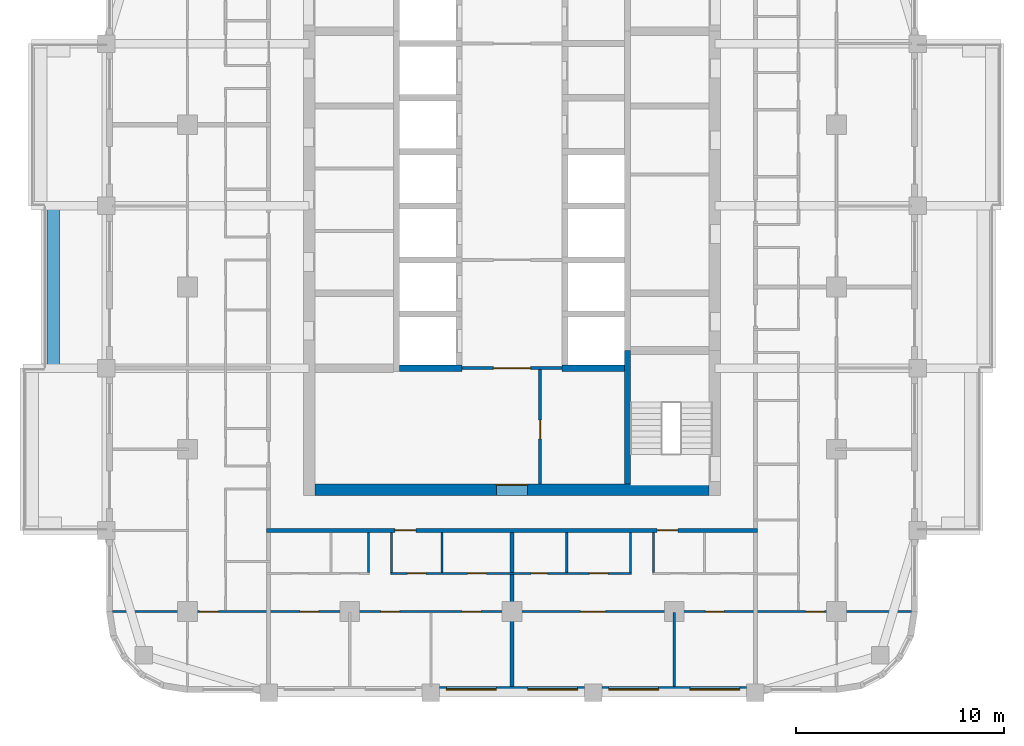
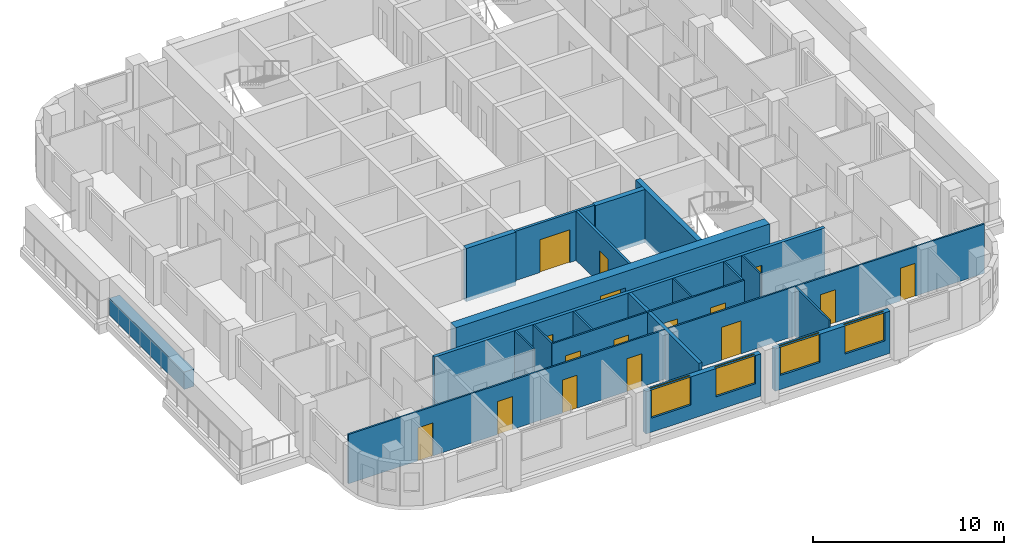
# One storey, part 3 of 13: 20 walls, 16 doors, 4 windows, 20 openings.
"""IFC4 building model written with IfcOpenShell, lengths in metres."""

from ifc_helpers import new_model, si_unit, direction, frame, frame_2d, origin, place, context, subcontext, project, spatial, rectangle, extrude, material, layer, layer_set, type_object, element, fill, save


model = new_model("IFC4")

# Units and contexts
model_context = context("Model", 3, precision=1e-05, world=origin(), true_north=direction((0.0, 1.0)))
body_context = subcontext(model_context, "Body", "Model", "MODEL_VIEW")
ifc_project = project(units=[si_unit("LENGTHUNIT", "METRE"), si_unit("AREAUNIT", "SQUARE_METRE"), si_unit("VOLUMEUNIT", "CUBIC_METRE"), si_unit("PLANEANGLEUNIT", "RADIAN"), si_unit("MASSUNIT", "GRAM", prefix="KILO")], contexts=[model_context])

# Site, building, storey
site_placement = place(None, origin())
site = spatial("IfcSite", under=ifc_project, at=site_placement, CompositionType="ELEMENT")
building_placement = place(site_placement, origin())
building = spatial("IfcBuilding", under=site, at=building_placement, Name="Ludao Terraces", CompositionType="ELEMENT")
storey_placement = place(building_placement, frame((0.0, 0.0, 127.10009765625)))
storey = spatial("IfcBuildingStorey", under=building, at=storey_placement, Name="L34", CompositionType="ELEMENT", Elevation=127.10009765625)

# Wall, opening, door
ifc_material_1 = material(Name="Concrete C60", Category="concrete")
ifc_layer_1 = layer(ifc_material_1, 0.550048828125)
ifc_layer_set_1 = layer_set([ifc_layer_1], Name="Core wall 550 C60")
wall_type_1 = type_object("IfcWallType", Name="Core wall 550 C60", PredefinedType="SOLIDWALL", material=ifc_layer_set_1)
wall_1_placement = place(storey_placement, frame((75.52490234375, 55.25, -0.25), z_axis=(0.0, 0.0, 1.0), x_axis=(1.0, 0.0, 0.0)))
wall_1 = element("IfcWall", 1, at=wall_1_placement, inside=storey, type_object=wall_type_1, Name="Core wall L34 outer-S", PredefinedType="SOLIDWALL", context=body_context, shape_type="SweptSolid", body=[
    extrude(rectangle(XDim=18.9501953125, YDim=0.550048828125, at=frame_2d((9.47509765625, 0.0))), origin(), (0.0, 0.0, 1.0), 3.39990234375),
])
opening_1_placement = place(wall_1_placement, frame((8.72509765625, 0.0, 0.25)))
opening_1 = element("IfcOpeningElement", 2, at=opening_1_placement, cuts=wall_1, Name="Opening R10-028", PredefinedType="OPENING", context=body_context, shape_type="SweptSolid", body=[
    extrude(rectangle(XDim=1.5, YDim=2.10009765625, at=frame_2d((0.75, 1.050048828125))), frame((0.0, 0.28515625, 0.0), z_axis=(0.0, -1.0, 0.0), x_axis=(1.0, 0.0, 0.0)), (0.0, 0.0, 1.0), 0.570068359375),
])
ifc_material_2 = material(Name="Steel Q235", Category="steel")
door_type_1 = type_object("IfcDoorType", Name="INT Lobby door 1500", OperationType="DOUBLE_DOOR_SINGLE_SWING", PredefinedType="DOOR", material=ifc_material_2)
door_1_placement = place(opening_1_placement, origin())
door_1 = element("IfcDoor", 3, at=door_1_placement, inside=storey, type_object=door_type_1, Name="DOOR 028", OperationType="DOUBLE_DOOR_SINGLE_SWING", OverallHeight=2.10009765625, OverallWidth=1.5, PredefinedType="DOOR", context=body_context, shape_type="SweptSolid", body=[
    extrude(rectangle(XDim=1.5, YDim=2.10009765625, at=frame_2d((0.75, 1.050048828125))), frame((0.0, 0.26025390625, 0.0), z_axis=(0.0, -1.0, 0.0), x_axis=(1.0, 0.0, 0.0)), (0.0, 0.0, 1.0), 0.050048828125),
])
fill(opening_1, door_1)

# Wall
ifc_material_3 = material(Name="Concrete C40", Category="concrete")
ifc_layer_2 = layer(ifc_material_3, 0.60009765625)
ifc_layer_set_2 = layer_set([ifc_layer_2], Name="ENV Planter trough 600")
wall_type_2 = type_object("IfcWallType", Name="ENV Planter trough 600", PredefinedType="USERDEFINED", material=ifc_layer_set_2)
wall_2_placement = place(storey_placement, frame((62.949951171875, 61.10009765625, 0.0), z_axis=(0.0, 0.0, 1.0), x_axis=(0.0, 1.0, 0.0)))
element("IfcWall", 4, at=wall_2_placement, inside=storey, type_object=wall_type_2, Name="PL-L34-W2", ObjectType="PLANTER", PredefinedType="USERDEFINED", context=body_context, shape_type="SweptSolid", body=[
    extrude(rectangle(XDim=7.7998046875, YDim=0.60009765625, at=frame_2d((3.89990234375, 0.0))), origin(), (0.0, 0.0, 1.0), 1.099853515625),
])

# Wall, openings, windows
ifc_material_4 = material(Name="Granite cladding", Category="masonry")
ifc_layer_3 = layer(ifc_material_4, 0.0400390625, Category="stone")
ifc_material_5 = material(Name="Mineral wool")
ifc_layer_4 = layer(ifc_material_5, 0.06005859375)
ifc_layer_5 = layer(ifc_material_3, 0.199951171875, Category="concrete")
ifc_layer_set_3 = layer_set([ifc_layer_3, ifc_layer_4, ifc_layer_5], Name="ENV Stone-clad wall 300")
wall_type_3 = type_object("IfcWallType", Name="ENV Stone-clad wall 300", PredefinedType="SOLIDWALL", material=ifc_layer_set_3)
wall_3_placement = place(storey_placement, frame((81.52490234375, 45.64990234375, 0.0), z_axis=(0.0, 0.0, 1.0), x_axis=(1.0, 0.0, 0.0)))
wall_3 = element("IfcWall", 5, at=wall_3_placement, inside=storey, type_object=wall_type_3, Name="EW-L34-S3", PredefinedType="SOLIDWALL", context=body_context, shape_type="SweptSolid", body=[
    extrude(rectangle(XDim=6.9501953125, YDim=0.300048828125, at=frame_2d((3.47509765625, 0.0))), origin(), (0.0, 0.0, 1.0), 2.699951171875),
])
opening_2_placement = place(wall_3_placement, frame((0.324951171875, 0.0, 0.89990234375)))
opening_2 = element("IfcOpeningElement", 6, at=opening_2_placement, cuts=wall_3, Name="Opening W1", PredefinedType="OPENING", context=body_context, shape_type="SweptSolid", body=[
    extrude(rectangle(XDim=2.39990234375, YDim=1.800048828125, at=frame_2d((1.199951171875, 0.89990234375))), frame((0.0, 0.16015625, 0.0), z_axis=(0.0, -1.0, 0.0), x_axis=(1.0, 0.0, 0.0)), (0.0, 0.0, 1.0), 0.320068359375),
])
opening_3_placement = place(wall_3_placement, frame((4.22509765625, 0.0, 0.89990234375)))
opening_3 = element("IfcOpeningElement", 7, at=opening_3_placement, cuts=wall_3, Name="Opening W1", PredefinedType="OPENING", context=body_context, shape_type="SweptSolid", body=[
    extrude(rectangle(XDim=2.39990234375, YDim=1.800048828125, at=frame_2d((1.199951171875, 0.89990234375))), frame((0.0, 0.16015625, 0.0), z_axis=(0.0, -1.0, 0.0), x_axis=(1.0, 0.0, 0.0)), (0.0, 0.0, 1.0), 0.320068359375),
])
ifc_material_6 = material(Name="Clear glass in aluminium frame", Category="aluminium")
ifc_layer_6 = layer(ifc_material_6, 0.06005859375)
ifc_layer_set_4 = layer_set([ifc_layer_6], Name="ENV Window W1 2400x1800")
window_type = type_object("IfcWindowType", Name="ENV Window W1 2400x1800", PartitioningType="DOUBLE_PANEL_VERTICAL", PredefinedType="WINDOW", material=ifc_layer_set_4)
window_1_placement = place(opening_2_placement, origin())
window_1 = element("IfcWindow", 8, at=window_1_placement, inside=storey, type_object=window_type, Name="W-L34-S3-1", OverallHeight=1.800048828125, OverallWidth=2.39990234375, PartitioningType="DOUBLE_PANEL_VERTICAL", PredefinedType="WINDOW", context=body_context, shape_type="SweptSolid", body=[
    extrude(rectangle(XDim=2.39990234375, YDim=1.800048828125, at=frame_2d((1.199951171875, 0.89990234375))), frame((0.0, 0.030029296875, 0.0), z_axis=(0.0, -1.0, 0.0), x_axis=(1.0, 0.0, 0.0)), (0.0, 0.0, 1.0), 0.06005859375),
])
fill(opening_2, window_1)
window_2_placement = place(opening_3_placement, origin())
window_2 = element("IfcWindow", 9, at=window_2_placement, inside=storey, type_object=window_type, Name="W-L34-S3-2", OverallHeight=1.800048828125, OverallWidth=2.39990234375, PartitioningType="DOUBLE_PANEL_VERTICAL", PredefinedType="WINDOW", context=body_context, shape_type="SweptSolid", body=[
    extrude(rectangle(XDim=2.39990234375, YDim=1.800048828125, at=frame_2d((1.199951171875, 0.89990234375))), frame((0.0, 0.030029296875, 0.0), z_axis=(0.0, -1.0, 0.0), x_axis=(1.0, 0.0, 0.0)), (0.0, 0.0, 1.0), 0.06005859375),
])
fill(opening_3, window_2)

wall_4_placement = place(storey_placement, frame((89.324951171875, 45.64990234375, 0.0), z_axis=(0.0, 0.0, 1.0), x_axis=(1.0, 0.0, 0.0)))
wall_4 = element("IfcWall", 10, at=wall_4_placement, inside=storey, type_object=wall_type_3, Name="EW-L34-S4", PredefinedType="SOLIDWALL", context=body_context, shape_type="SweptSolid", body=[
    extrude(rectangle(XDim=6.949951171875, YDim=0.300048828125, at=frame_2d((3.47509765625, 0.0))), origin(), (0.0, 0.0, 1.0), 2.699951171875),
])
opening_4_placement = place(wall_4_placement, frame((0.324951171875, 0.0, 0.89990234375)))
opening_4 = element("IfcOpeningElement", 11, at=opening_4_placement, cuts=wall_4, Name="Opening W1", PredefinedType="OPENING", context=body_context, shape_type="SweptSolid", body=[
    extrude(rectangle(XDim=2.39990234375, YDim=1.800048828125, at=frame_2d((1.199951171875, 0.89990234375))), frame((0.0, 0.16015625, 0.0), z_axis=(0.0, -1.0, 0.0), x_axis=(1.0, 0.0, 0.0)), (0.0, 0.0, 1.0), 0.320068359375),
])
opening_5_placement = place(wall_4_placement, frame((4.22509765625, 0.0, 0.89990234375)))
opening_5 = element("IfcOpeningElement", 12, at=opening_5_placement, cuts=wall_4, Name="Opening W1", PredefinedType="OPENING", context=body_context, shape_type="SweptSolid", body=[
    extrude(rectangle(XDim=2.39990234375, YDim=1.800048828125, at=frame_2d((1.199951171875, 0.89990234375))), frame((0.0, 0.16015625, 0.0), z_axis=(0.0, -1.0, 0.0), x_axis=(1.0, 0.0, 0.0)), (0.0, 0.0, 1.0), 0.320068359375),
])
window_3_placement = place(opening_4_placement, origin())
window_3 = element("IfcWindow", 13, at=window_3_placement, inside=storey, type_object=window_type, Name="W-L34-S4-1", OverallHeight=1.800048828125, OverallWidth=2.39990234375, PartitioningType="DOUBLE_PANEL_VERTICAL", PredefinedType="WINDOW", context=body_context, shape_type="SweptSolid", body=[
    extrude(rectangle(XDim=2.39990234375, YDim=1.800048828125, at=frame_2d((1.199951171875, 0.89990234375))), frame((0.0, 0.030029296875, 0.0), z_axis=(0.0, -1.0, 0.0), x_axis=(1.0, 0.0, 0.0)), (0.0, 0.0, 1.0), 0.06005859375),
])
fill(opening_4, window_3)
window_4_placement = place(opening_5_placement, origin())
window_4 = element("IfcWindow", 14, at=window_4_placement, inside=storey, type_object=window_type, Name="W-L34-S4-2", OverallHeight=1.800048828125, OverallWidth=2.39990234375, PartitioningType="DOUBLE_PANEL_VERTICAL", PredefinedType="WINDOW", context=body_context, shape_type="SweptSolid", body=[
    extrude(rectangle(XDim=2.39990234375, YDim=1.800048828125, at=frame_2d((1.199951171875, 0.89990234375))), frame((0.0, 0.030029296875, 0.0), z_axis=(0.0, -1.0, 0.0), x_axis=(1.0, 0.0, 0.0)), (0.0, 0.0, 1.0), 0.06005859375),
])
fill(opening_5, window_4)

# Wall, opening, door
ifc_material_7 = material(Name="Fire-rated gypsum plasterboard", Category="gypsum")
ifc_layer_7 = layer(ifc_material_7, 0.012451171875, Category="gypsum")
ifc_layer_8 = layer(ifc_material_5, 0.10009765625, Name="insulation")
ifc_layer_9 = layer(ifc_material_2, 0.02490234375, Name="stud")
ifc_layer_10 = layer(ifc_material_7, 0.012451171875, Category="gypsum")
ifc_layer_set_5 = layer_set([ifc_layer_7, ifc_layer_8, ifc_layer_9, ifc_layer_10], Name="INT Core partition 150")
wall_type_4 = type_object("IfcWallType", Name="INT Core partition 150", PredefinedType="PARTITIONING", material=ifc_layer_set_5)
wall_5_placement = place(storey_placement, frame((82.60009765625, 61.10009765625, 0.0), z_axis=(0.0, 0.0, 1.0), x_axis=(1.0, 0.0, 0.0)))
wall_5 = element("IfcWall", 15, at=wall_5_placement, inside=storey, type_object=wall_type_4, Name="PW-L34-PW017", PredefinedType="PARTITIONING", context=body_context, shape_type="SweptSolid", body=[
    extrude(rectangle(XDim=4.800048828125, YDim=0.14990234375, at=frame_2d((2.39990234375, 0.0))), origin(), (0.0, 0.0, 1.0), 3.14990234375),
])
opening_6_placement = place(wall_5_placement, frame((1.5, 0.0, 0.0)))
opening_6 = element("IfcOpeningElement", 16, at=opening_6_placement, cuts=wall_5, Name="Opening R10-038", PredefinedType="OPENING", context=body_context, shape_type="SweptSolid", body=[
    extrude(rectangle(XDim=1.800048828125, YDim=2.10009765625, at=frame_2d((0.89990234375, 1.050048828125))), frame((0.0, 0.0849609375, 0.0), z_axis=(0.0, -1.0, 0.0), x_axis=(1.0, 0.0, 0.0)), (0.0, 0.0, 1.0), 0.169921875),
])
door_type_2 = type_object("IfcDoorType", Name="INT Fire lobby door 1800", OperationType="DOUBLE_DOOR_SINGLE_SWING", PredefinedType="DOOR", material=ifc_material_2)
door_2_placement = place(opening_6_placement, origin())
door_2 = element("IfcDoor", 17, at=door_2_placement, inside=storey, type_object=door_type_2, Name="DOOR 038", OperationType="DOUBLE_DOOR_SINGLE_SWING", OverallHeight=2.10009765625, OverallWidth=1.800048828125, PredefinedType="DOOR", context=body_context, shape_type="SweptSolid", body=[
    extrude(rectangle(XDim=1.800048828125, YDim=2.10009765625, at=frame_2d((0.89990234375, 1.050048828125))), frame((0.0, 0.02490234375, 0.0), z_axis=(0.0, -1.0, 0.0), x_axis=(1.0, 0.0, 0.0)), (0.0, 0.0, 1.0), 0.050048828125),
])
fill(opening_6, door_2)

wall_6_placement = place(storey_placement, frame((86.35009765625, 55.525146484375, 0.0), z_axis=(0.0, 0.0, 1.0), x_axis=(0.0, 1.0, 0.0)))
wall_6 = element("IfcWall", 18, at=wall_6_placement, inside=storey, type_object=wall_type_4, Name="PW-L34-PW060", PredefinedType="PARTITIONING", context=body_context, shape_type="SweptSolid", body=[
    extrude(rectangle(XDim=5.5, YDim=0.14990234375, at=frame_2d((2.75, 0.0))), origin(), (0.0, 0.0, 1.0), 3.14990234375),
])
opening_7_placement = place(wall_6_placement, frame((2.175048828125, 0.0, 0.0)))
opening_7 = element("IfcOpeningElement", 19, at=opening_7_placement, cuts=wall_6, Name="Opening R10-033", PredefinedType="OPENING", context=body_context, shape_type="SweptSolid", body=[
    extrude(rectangle(XDim=0.89990234375, YDim=2.10009765625, at=frame_2d((0.449951171875, 1.050048828125))), frame((0.0, 0.0849609375, 0.0), z_axis=(0.0, -1.0, 0.0), x_axis=(1.0, 0.0, 0.0)), (0.0, 0.0, 1.0), 0.169921875),
])
ifc_material_8 = material(Name="Timber door leaf", Category="wood")
door_type_3 = type_object("IfcDoorType", Name="INT Room door 900", OperationType="SINGLE_SWING_LEFT", PredefinedType="DOOR", material=ifc_material_8)
door_3_placement = place(opening_7_placement, origin())
door_3 = element("IfcDoor", 20, at=door_3_placement, inside=storey, type_object=door_type_3, Name="DOOR 033", OperationType="SINGLE_SWING_RIGHT", OverallHeight=2.10009765625, OverallWidth=0.89990234375, PredefinedType="DOOR", context=body_context, shape_type="SweptSolid", body=[
    extrude(rectangle(XDim=0.89990234375, YDim=2.10009765625, at=frame_2d((0.449951171875, 1.050048828125))), frame((0.0, 0.02490234375, 0.0), z_axis=(0.0, -1.0, 0.0), x_axis=(1.0, 0.0, 0.0)), (0.0, 0.0, 1.0), 0.050048828125),
])
fill(opening_7, door_3)

# Wall, openings, doors
ifc_material_9 = material(Name="Autoclaved aerated concrete block B06 A3.5", Category="concrete")
ifc_layer_11 = layer(ifc_material_9, 0.199951171875)
ifc_layer_set_6 = layer_set([ifc_layer_11], Name="INT Entrance wall 200")
wall_type_5 = type_object("IfcWallType", Name="INT Entrance wall 200", PredefinedType="PARTITIONING", material=ifc_layer_set_6)
wall_7_placement = place(storey_placement, frame((73.2001953125, 53.300048828125, 0.0), z_axis=(0.0, 0.0, 1.0), x_axis=(1.0, 0.0, 0.0)))
wall_7 = element("IfcWall", 21, at=wall_7_placement, inside=storey, type_object=wall_type_5, Name="PW-L34-PW007", PredefinedType="PARTITIONING", context=body_context, shape_type="SweptSolid", body=[
    extrude(rectangle(XDim=23.599853515625, YDim=0.199951171875, at=frame_2d((11.7998046875, 0.0))), origin(), (0.0, 0.0, 1.0), 3.14990234375),
])
opening_8_placement = place(wall_7_placement, frame((6.1748046875, 0.0, 0.0)))
opening_8 = element("IfcOpeningElement", 22, at=opening_8_placement, cuts=wall_7, Name="Opening R10-022", PredefinedType="OPENING", context=body_context, shape_type="SweptSolid", body=[
    extrude(rectangle(XDim=1.0, YDim=2.10009765625, at=frame_2d((0.5, 1.050048828125))), frame((0.0, 0.10986328125, 0.0), z_axis=(0.0, -1.0, 0.0), x_axis=(1.0, 0.0, 0.0)), (0.0, 0.0, 1.0), 0.219970703125),
])
opening_9_placement = place(wall_7_placement, frame((18.77490234375, 0.0, 0.0)))
opening_9 = element("IfcOpeningElement", 23, at=opening_9_placement, cuts=wall_7, Name="Opening R10-023", PredefinedType="OPENING", context=body_context, shape_type="SweptSolid", body=[
    extrude(rectangle(XDim=1.0, YDim=2.10009765625, at=frame_2d((0.5, 1.050048828125))), frame((0.0, 0.10986328125, 0.0), z_axis=(0.0, -1.0, 0.0), x_axis=(1.0, 0.0, 0.0)), (0.0, 0.0, 1.0), 0.219970703125),
])
door_type_4 = type_object("IfcDoorType", Name="INT Flat entrance door 1000", OperationType="SINGLE_SWING_LEFT", PredefinedType="DOOR", material=ifc_material_2)
door_4_placement = place(opening_8_placement, origin())
door_4 = element("IfcDoor", 24, at=door_4_placement, inside=storey, type_object=door_type_4, Name="DOOR 022", OperationType="SINGLE_SWING_LEFT", OverallHeight=2.10009765625, OverallWidth=1.0, PredefinedType="DOOR", context=body_context, shape_type="SweptSolid", body=[
    extrude(rectangle(XDim=1.0, YDim=2.10009765625, at=frame_2d((0.5, 1.050048828125))), frame((0.0, 0.02490234375, 0.0), z_axis=(0.0, -1.0, 0.0), x_axis=(1.0, 0.0, 0.0)), (0.0, 0.0, 1.0), 0.050048828125),
])
fill(opening_8, door_4)
door_5_placement = place(opening_9_placement, origin())
door_5 = element("IfcDoor", 25, at=door_5_placement, inside=storey, type_object=door_type_4, Name="DOOR 023", OperationType="SINGLE_SWING_LEFT", OverallHeight=2.10009765625, OverallWidth=1.0, PredefinedType="DOOR", context=body_context, shape_type="SweptSolid", body=[
    extrude(rectangle(XDim=1.0, YDim=2.10009765625, at=frame_2d((0.5, 1.050048828125))), frame((0.0, 0.02490234375, 0.0), z_axis=(0.0, -1.0, 0.0), x_axis=(1.0, 0.0, 0.0)), (0.0, 0.0, 1.0), 0.050048828125),
])
fill(opening_9, door_5)

ifc_material_10 = material(Name="Gypsum plasterboard", Category="gypsum")
ifc_layer_12 = layer(ifc_material_10, 0.012451171875, Category="gypsum")
ifc_layer_13 = layer(ifc_material_5, 0.06005859375, Name="insulation")
ifc_layer_14 = layer(ifc_material_2, 0.014892578125, Name="stud")
ifc_layer_15 = layer(ifc_material_10, 0.012451171875, Category="gypsum")
ifc_layer_set_7 = layer_set([ifc_layer_12, ifc_layer_13, ifc_layer_14, ifc_layer_15], Name="INT Partition 100")
wall_type_6 = type_object("IfcWallType", Name="INT Partition 100", PredefinedType="PARTITIONING", material=ifc_layer_set_7)
wall_8_placement = place(storey_placement, frame((65.800048828125, 49.39990234375, 0.0), z_axis=(0.0, 0.0, 1.0), x_axis=(1.0, 0.0, 0.0)))
wall_8 = element("IfcWall", 26, at=wall_8_placement, inside=storey, type_object=wall_type_6, Name="PW-L34-PW000", PredefinedType="PARTITIONING", context=body_context, shape_type="SweptSolid", body=[
    extrude(rectangle(XDim=38.400146484375, YDim=0.10009765625, at=frame_2d((19.2001953125, 0.0))), origin(), (0.0, 0.0, 1.0), 3.14990234375),
])
opening_10_placement = place(wall_8_placement, frame((4.18994140625, 0.0, 0.0)))
opening_10 = element("IfcOpeningElement", 27, at=opening_10_placement, cuts=wall_8, Name="Opening R10-003", PredefinedType="OPENING", context=body_context, shape_type="SweptSolid", body=[
    extrude(rectangle(XDim=0.89990234375, YDim=2.10009765625, at=frame_2d((0.449951171875, 1.050048828125))), frame((0.0, 0.06005859375, 0.0), z_axis=(0.0, -1.0, 0.0), x_axis=(1.0, 0.0, 0.0)), (0.0, 0.0, 1.0), 0.1201171875),
])
opening_11_placement = place(wall_8_placement, frame((9.0, 0.0, 0.0)))
opening_11 = element("IfcOpeningElement", 28, at=opening_11_placement, cuts=wall_8, Name="Opening R10-004", PredefinedType="OPENING", context=body_context, shape_type="SweptSolid", body=[
    extrude(rectangle(XDim=0.89990234375, YDim=2.10009765625, at=frame_2d((0.449951171875, 1.050048828125))), frame((0.0, 0.06005859375, 0.0), z_axis=(0.0, -1.0, 0.0), x_axis=(1.0, 0.0, 0.0)), (0.0, 0.0, 1.0), 0.1201171875),
])
opening_12_placement = place(wall_8_placement, frame((12.89990234375, 0.0, 0.0)))
opening_12 = element("IfcOpeningElement", 29, at=opening_12_placement, cuts=wall_8, Name="Opening R10-005", PredefinedType="OPENING", context=body_context, shape_type="SweptSolid", body=[
    extrude(rectangle(XDim=0.89990234375, YDim=2.10009765625, at=frame_2d((0.449951171875, 1.050048828125))), frame((0.0, 0.06005859375, 0.0), z_axis=(0.0, -1.0, 0.0), x_axis=(1.0, 0.0, 0.0)), (0.0, 0.0, 1.0), 0.1201171875),
])
opening_13_placement = place(wall_8_placement, frame((16.800048828125, 0.0, 0.0)))
opening_13 = element("IfcOpeningElement", 30, at=opening_13_placement, cuts=wall_8, Name="Opening R10-006", PredefinedType="OPENING", context=body_context, shape_type="SweptSolid", body=[
    extrude(rectangle(XDim=0.89990234375, YDim=2.10009765625, at=frame_2d((0.449951171875, 1.050048828125))), frame((0.0, 0.06005859375, 0.0), z_axis=(0.0, -1.0, 0.0), x_axis=(1.0, 0.0, 0.0)), (0.0, 0.0, 1.0), 0.1201171875),
])
opening_14_placement = place(wall_8_placement, frame((22.5, 0.0, 0.0)))
opening_14 = element("IfcOpeningElement", 31, at=opening_14_placement, cuts=wall_8, Name="Opening R10-007", PredefinedType="OPENING", context=body_context, shape_type="SweptSolid", body=[
    extrude(rectangle(XDim=1.199951171875, YDim=2.10009765625, at=frame_2d((0.60009765625, 1.050048828125))), frame((0.0, 0.06005859375, 0.0), z_axis=(0.0, -1.0, 0.0), x_axis=(1.0, 0.0, 0.0)), (0.0, 0.0, 1.0), 0.1201171875),
])
opening_15_placement = place(wall_8_placement, frame((28.5, 0.0, 0.0)))
opening_15 = element("IfcOpeningElement", 32, at=opening_15_placement, cuts=wall_8, Name="Opening R10-008", PredefinedType="OPENING", context=body_context, shape_type="SweptSolid", body=[
    extrude(rectangle(XDim=0.89990234375, YDim=2.10009765625, at=frame_2d((0.449951171875, 1.050048828125))), frame((0.0, 0.06005859375, 0.0), z_axis=(0.0, -1.0, 0.0), x_axis=(1.0, 0.0, 0.0)), (0.0, 0.0, 1.0), 0.1201171875),
])
opening_16_placement = place(wall_8_placement, frame((33.31005859375, 0.0, 0.0)))
opening_16 = element("IfcOpeningElement", 33, at=opening_16_placement, cuts=wall_8, Name="Opening R10-009", PredefinedType="OPENING", context=body_context, shape_type="SweptSolid", body=[
    extrude(rectangle(XDim=0.89990234375, YDim=2.10009765625, at=frame_2d((0.449951171875, 1.050048828125))), frame((0.0, 0.06005859375, 0.0), z_axis=(0.0, -1.0, 0.0), x_axis=(1.0, 0.0, 0.0)), (0.0, 0.0, 1.0), 0.1201171875),
])
door_type_5 = type_object("IfcDoorType", Name="INT Double door 1200", OperationType="DOUBLE_DOOR_SINGLE_SWING", PredefinedType="DOOR", material=ifc_material_8)
door_6_placement = place(opening_14_placement, origin())
door_6 = element("IfcDoor", 34, at=door_6_placement, inside=storey, type_object=door_type_5, Name="DOOR 007", OperationType="DOUBLE_DOOR_SINGLE_SWING", OverallHeight=2.10009765625, OverallWidth=1.199951171875, PredefinedType="DOOR", context=body_context, shape_type="SweptSolid", body=[
    extrude(rectangle(XDim=1.199951171875, YDim=2.10009765625, at=frame_2d((0.60009765625, 1.050048828125))), frame((0.0, 0.02490234375, 0.0), z_axis=(0.0, -1.0, 0.0), x_axis=(1.0, 0.0, 0.0)), (0.0, 0.0, 1.0), 0.050048828125),
])
fill(opening_14, door_6)
door_7_placement = place(opening_10_placement, origin())
door_7 = element("IfcDoor", 35, at=door_7_placement, inside=storey, type_object=door_type_3, Name="DOOR 003", OperationType="SINGLE_SWING_RIGHT", OverallHeight=2.10009765625, OverallWidth=0.89990234375, PredefinedType="DOOR", context=body_context, shape_type="SweptSolid", body=[
    extrude(rectangle(XDim=0.89990234375, YDim=2.10009765625, at=frame_2d((0.449951171875, 1.050048828125))), frame((0.0, 0.02490234375, 0.0), z_axis=(0.0, -1.0, 0.0), x_axis=(1.0, 0.0, 0.0)), (0.0, 0.0, 1.0), 0.050048828125),
])
fill(opening_10, door_7)
door_8_placement = place(opening_11_placement, origin())
door_8 = element("IfcDoor", 36, at=door_8_placement, inside=storey, type_object=door_type_3, Name="DOOR 004", OperationType="SINGLE_SWING_LEFT", OverallHeight=2.10009765625, OverallWidth=0.89990234375, PredefinedType="DOOR", context=body_context, shape_type="SweptSolid", body=[
    extrude(rectangle(XDim=0.89990234375, YDim=2.10009765625, at=frame_2d((0.449951171875, 1.050048828125))), frame((0.0, 0.02490234375, 0.0), z_axis=(0.0, -1.0, 0.0), x_axis=(1.0, 0.0, 0.0)), (0.0, 0.0, 1.0), 0.050048828125),
])
fill(opening_11, door_8)
door_9_placement = place(opening_12_placement, origin())
door_9 = element("IfcDoor", 37, at=door_9_placement, inside=storey, type_object=door_type_3, Name="DOOR 005", OperationType="SINGLE_SWING_RIGHT", OverallHeight=2.10009765625, OverallWidth=0.89990234375, PredefinedType="DOOR", context=body_context, shape_type="SweptSolid", body=[
    extrude(rectangle(XDim=0.89990234375, YDim=2.10009765625, at=frame_2d((0.449951171875, 1.050048828125))), frame((0.0, 0.02490234375, 0.0), z_axis=(0.0, -1.0, 0.0), x_axis=(1.0, 0.0, 0.0)), (0.0, 0.0, 1.0), 0.050048828125),
])
fill(opening_12, door_9)
door_10_placement = place(opening_13_placement, origin())
door_10 = element("IfcDoor", 38, at=door_10_placement, inside=storey, type_object=door_type_3, Name="DOOR 006", OperationType="SINGLE_SWING_RIGHT", OverallHeight=2.10009765625, OverallWidth=0.89990234375, PredefinedType="DOOR", context=body_context, shape_type="SweptSolid", body=[
    extrude(rectangle(XDim=0.89990234375, YDim=2.10009765625, at=frame_2d((0.449951171875, 1.050048828125))), frame((0.0, 0.02490234375, 0.0), z_axis=(0.0, -1.0, 0.0), x_axis=(1.0, 0.0, 0.0)), (0.0, 0.0, 1.0), 0.050048828125),
])
fill(opening_13, door_10)
door_11_placement = place(opening_15_placement, origin())
door_11 = element("IfcDoor", 39, at=door_11_placement, inside=storey, type_object=door_type_3, Name="DOOR 008", OperationType="SINGLE_SWING_RIGHT", OverallHeight=2.10009765625, OverallWidth=0.89990234375, PredefinedType="DOOR", context=body_context, shape_type="SweptSolid", body=[
    extrude(rectangle(XDim=0.89990234375, YDim=2.10009765625, at=frame_2d((0.449951171875, 1.050048828125))), frame((0.0, 0.02490234375, 0.0), z_axis=(0.0, -1.0, 0.0), x_axis=(1.0, 0.0, 0.0)), (0.0, 0.0, 1.0), 0.050048828125),
])
fill(opening_15, door_11)
door_12_placement = place(opening_16_placement, origin())
door_12 = element("IfcDoor", 40, at=door_12_placement, inside=storey, type_object=door_type_3, Name="DOOR 009", OperationType="SINGLE_SWING_LEFT", OverallHeight=2.10009765625, OverallWidth=0.89990234375, PredefinedType="DOOR", context=body_context, shape_type="SweptSolid", body=[
    extrude(rectangle(XDim=0.89990234375, YDim=2.10009765625, at=frame_2d((0.449951171875, 1.050048828125))), frame((0.0, 0.02490234375, 0.0), z_axis=(0.0, -1.0, 0.0), x_axis=(1.0, 0.0, 0.0)), (0.0, 0.0, 1.0), 0.050048828125),
])
fill(opening_16, door_12)

wall_9_placement = place(storey_placement, frame((79.150146484375, 51.22998046875, 0.0), z_axis=(0.0, 0.0, 1.0), x_axis=(1.0, 0.0, 0.0)))
wall_9 = element("IfcWall", 41, at=wall_9_placement, inside=storey, type_object=wall_type_6, Name="PW-L34-PW003", PredefinedType="PARTITIONING", context=body_context, shape_type="SweptSolid", body=[
    extrude(rectangle(XDim=11.599853515625, YDim=0.10009765625, at=frame_2d((5.7998046875, 0.0))), origin(), (0.0, 0.0, 1.0), 3.14990234375),
])
opening_17_placement = place(wall_9_placement, frame((0.81494140625, 0.0, 0.0)))
opening_17 = element("IfcOpeningElement", 42, at=opening_17_placement, cuts=wall_9, Name="Opening R10-014", PredefinedType="OPENING", context=body_context, shape_type="SweptSolid", body=[
    extrude(rectangle(XDim=0.89990234375, YDim=2.10009765625, at=frame_2d((0.449951171875, 1.050048828125))), frame((0.0, 0.06005859375, 0.0), z_axis=(0.0, -1.0, 0.0), x_axis=(1.0, 0.0, 0.0)), (0.0, 0.0, 1.0), 0.1201171875),
])
opening_18_placement = place(wall_9_placement, frame((3.715087890625, 0.0, 0.0)))
opening_18 = element("IfcOpeningElement", 43, at=opening_18_placement, cuts=wall_9, Name="Opening R10-015", PredefinedType="OPENING", context=body_context, shape_type="SweptSolid", body=[
    extrude(rectangle(XDim=0.89990234375, YDim=2.10009765625, at=frame_2d((0.449951171875, 1.050048828125))), frame((0.0, 0.06005859375, 0.0), z_axis=(0.0, -1.0, 0.0), x_axis=(1.0, 0.0, 0.0)), (0.0, 0.0, 1.0), 0.1201171875),
])
opening_19_placement = place(wall_9_placement, frame((6.764892578125, 0.0, 0.0)))
opening_19 = element("IfcOpeningElement", 44, at=opening_19_placement, cuts=wall_9, Name="Opening R10-016", PredefinedType="OPENING", context=body_context, shape_type="SweptSolid", body=[
    extrude(rectangle(XDim=0.800048828125, YDim=2.10009765625, at=frame_2d((0.39990234375, 1.050048828125))), frame((0.0, 0.06005859375, 0.0), z_axis=(0.0, -1.0, 0.0), x_axis=(1.0, 0.0, 0.0)), (0.0, 0.0, 1.0), 0.1201171875),
])
opening_20_placement = place(wall_9_placement, frame((9.56494140625, 0.0, 0.0)))
opening_20 = element("IfcOpeningElement", 45, at=opening_20_placement, cuts=wall_9, Name="Opening R10-017", PredefinedType="OPENING", context=body_context, shape_type="SweptSolid", body=[
    extrude(rectangle(XDim=0.89990234375, YDim=2.10009765625, at=frame_2d((0.449951171875, 1.050048828125))), frame((0.0, 0.06005859375, 0.0), z_axis=(0.0, -1.0, 0.0), x_axis=(1.0, 0.0, 0.0)), (0.0, 0.0, 1.0), 0.1201171875),
])
door_type_6 = type_object("IfcDoorType", Name="INT Bathroom door 900", OperationType="SINGLE_SWING_LEFT", PredefinedType="DOOR", material=ifc_material_8)
door_13_placement = place(opening_17_placement, origin())
door_13 = element("IfcDoor", 46, at=door_13_placement, inside=storey, type_object=door_type_6, Name="DOOR 014", OperationType="SINGLE_SWING_LEFT", OverallHeight=2.10009765625, OverallWidth=0.89990234375, PredefinedType="DOOR", context=body_context, shape_type="SweptSolid", body=[
    extrude(rectangle(XDim=0.89990234375, YDim=2.10009765625, at=frame_2d((0.449951171875, 1.050048828125))), frame((0.0, 0.02490234375, 0.0), z_axis=(0.0, -1.0, 0.0), x_axis=(1.0, 0.0, 0.0)), (0.0, 0.0, 1.0), 0.050048828125),
])
fill(opening_17, door_13)
door_14_placement = place(opening_18_placement, origin())
door_14 = element("IfcDoor", 47, at=door_14_placement, inside=storey, type_object=door_type_3, Name="DOOR 015", OperationType="SINGLE_SWING_RIGHT", OverallHeight=2.10009765625, OverallWidth=0.89990234375, PredefinedType="DOOR", context=body_context, shape_type="SweptSolid", body=[
    extrude(rectangle(XDim=0.89990234375, YDim=2.10009765625, at=frame_2d((0.449951171875, 1.050048828125))), frame((0.0, 0.02490234375, 0.0), z_axis=(0.0, -1.0, 0.0), x_axis=(1.0, 0.0, 0.0)), (0.0, 0.0, 1.0), 0.050048828125),
])
fill(opening_18, door_14)
door_15_placement = place(opening_20_placement, origin())
door_15 = element("IfcDoor", 48, at=door_15_placement, inside=storey, type_object=door_type_3, Name="DOOR 017", OperationType="SINGLE_SWING_LEFT", OverallHeight=2.10009765625, OverallWidth=0.89990234375, PredefinedType="DOOR", context=body_context, shape_type="SweptSolid", body=[
    extrude(rectangle(XDim=0.89990234375, YDim=2.10009765625, at=frame_2d((0.449951171875, 1.050048828125))), frame((0.0, 0.02490234375, 0.0), z_axis=(0.0, -1.0, 0.0), x_axis=(1.0, 0.0, 0.0)), (0.0, 0.0, 1.0), 0.050048828125),
])
fill(opening_20, door_15)
door_type_7 = type_object("IfcDoorType", Name="INT Store door 800", OperationType="SINGLE_SWING_LEFT", PredefinedType="DOOR", material=ifc_material_8)
door_16_placement = place(opening_19_placement, origin())
door_16 = element("IfcDoor", 49, at=door_16_placement, inside=storey, type_object=door_type_7, Name="DOOR 016", OperationType="SINGLE_SWING_LEFT", OverallHeight=2.10009765625, OverallWidth=0.800048828125, PredefinedType="DOOR", context=body_context, shape_type="SweptSolid", body=[
    extrude(rectangle(XDim=0.800048828125, YDim=2.10009765625, at=frame_2d((0.39990234375, 1.050048828125))), frame((0.0, 0.02490234375, 0.0), z_axis=(0.0, -1.0, 0.0), x_axis=(1.0, 0.0, 0.0)), (0.0, 0.0, 1.0), 0.050048828125),
])
fill(opening_19, door_16)

# Walls
for number, where, z_axis, x_axis, name in (
    (50, (78.10009765625, 51.280029296875, 0.0), (0.0, 0.0, 1.0), (0.0, 1.0, 0.0), "PW-L34-PW055"),
    (51, (79.199951171875, 51.280029296875, 0.0), (0.0, 0.0, 1.0), (0.0, 1.0, 0.0), "PW-L34-PW056"),
    (52, (81.6298828125, 51.280029296875, 0.0), (0.0, 0.0, 1.0), (0.0, 1.0, 0.0), "PW-L34-PW058"),
    (53, (87.6298828125, 51.280029296875, 0.0), (0.0, 0.0, 1.0), (0.0, 1.0, 0.0), "PW-L34-PW061"),
    (54, (90.699951171875, 51.280029296875, 0.0), (0.0, 0.0, 1.0), (0.0, 1.0, 0.0), "PW-L34-PW062"),
    (55, (91.800048828125, 51.280029296875, 0.0), (0.0, 0.0, 1.0), (0.0, 1.0, 0.0), "PW-L34-PW063"),
):
    element("IfcWall", number, at=place(storey_placement, frame(where, z_axis=z_axis, x_axis=x_axis)), inside=storey, type_object=wall_type_6, Name=name, PredefinedType="PARTITIONING", context=body_context, shape_type="SweptSolid", body=[
        extrude(rectangle(XDim=1.920166015625, YDim=0.10009765625, at=frame_2d((0.9599609375, 0.0))), origin(), (0.0, 0.0, 1.0), 3.14990234375),
    ])
wall_10_placement = place(storey_placement, frame((92.800048828125, 45.800048828125, 0.0), z_axis=(0.0, 0.0, 1.0), x_axis=(0.0, 1.0, 0.0)))
element("IfcWall", 56, at=wall_10_placement, inside=storey, type_object=wall_type_6, Name="PW-L34-PW064", PredefinedType="PARTITIONING", context=body_context, shape_type="SweptSolid", body=[
    extrude(rectangle(XDim=3.550048828125, YDim=0.10009765625, at=frame_2d((1.77490234375, 0.0))), origin(), (0.0, 0.0, 1.0), 3.14990234375),
])
ifc_layer_16 = layer(ifc_material_9, 0.199951171875)
ifc_layer_set_8 = layer_set([ifc_layer_16], Name="INT Party wall 200")
wall_type_7 = type_object("IfcWallType", Name="INT Party wall 200", PredefinedType="PARTITIONING", material=ifc_layer_set_8)
wall_11_placement = place(storey_placement, frame((85.0, 45.800048828125, 0.0), z_axis=(0.0, 0.0, 1.0), x_axis=(0.0, 1.0, 0.0)))
element("IfcWall", 57, at=wall_11_placement, inside=storey, type_object=wall_type_7, Name="PW-L34-PW059", PredefinedType="PARTITIONING", context=body_context, shape_type="SweptSolid", body=[
    extrude(rectangle(XDim=7.400146484375, YDim=0.199951171875, at=frame_2d((3.7001953125, 0.0))), origin(), (0.0, 0.0, 1.0), 3.14990234375),
])
ifc_material_11 = material(Name="Concrete C55", Category="concrete")
ifc_layer_17 = layer(ifc_material_11, 0.300048828125)
ifc_layer_set_9 = layer_set([ifc_layer_17], Name="Shaft wall 300 C55")
wall_type_8 = type_object("IfcWallType", Name="Shaft wall 300 C55", PredefinedType="SOLIDWALL", material=ifc_layer_set_9)
wall_12_placement = place(storey_placement, frame((90.550048828125, 55.52490234375, -0.25), z_axis=(0.0, 0.0, 1.0), x_axis=(0.0, 1.0, 0.0)))
element("IfcWall", 58, at=wall_12_placement, inside=storey, type_object=wall_type_8, Name="Core wall L34 back-E-S3", PredefinedType="SOLIDWALL", context=body_context, shape_type="SweptSolid", body=[
    extrude(rectangle(XDim=6.425048828125, YDim=0.300048828125, at=frame_2d((3.21240234375, 0.0))), origin(), (0.0, 0.0, 1.0), 3.39990234375),
])
for number, where, z_axis, x_axis, name in (
    (59, (79.60009765625, 61.10009765625, -0.25), (0.0, 0.0, 1.0), (1.0, 0.0, 0.0), "Core wall L34 div-W1"),
    (60, (87.39990234375, 61.10009765625, -0.25), (0.0, 0.0, 1.0), (1.0, 0.0, 0.0), "Core wall L34 div-E1"),
):
    element("IfcWall", number, at=place(storey_placement, frame(where, z_axis=z_axis, x_axis=x_axis)), inside=storey, type_object=wall_type_8, Name=name, PredefinedType="SOLIDWALL", context=body_context, shape_type="SweptSolid", body=[
        extrude(rectangle(XDim=3.0, YDim=0.300048828125, at=frame_2d((1.5, 0.0))), origin(), (0.0, 0.0, 1.0), 3.39990234375),
    ])

save(model, "model.ifc")
